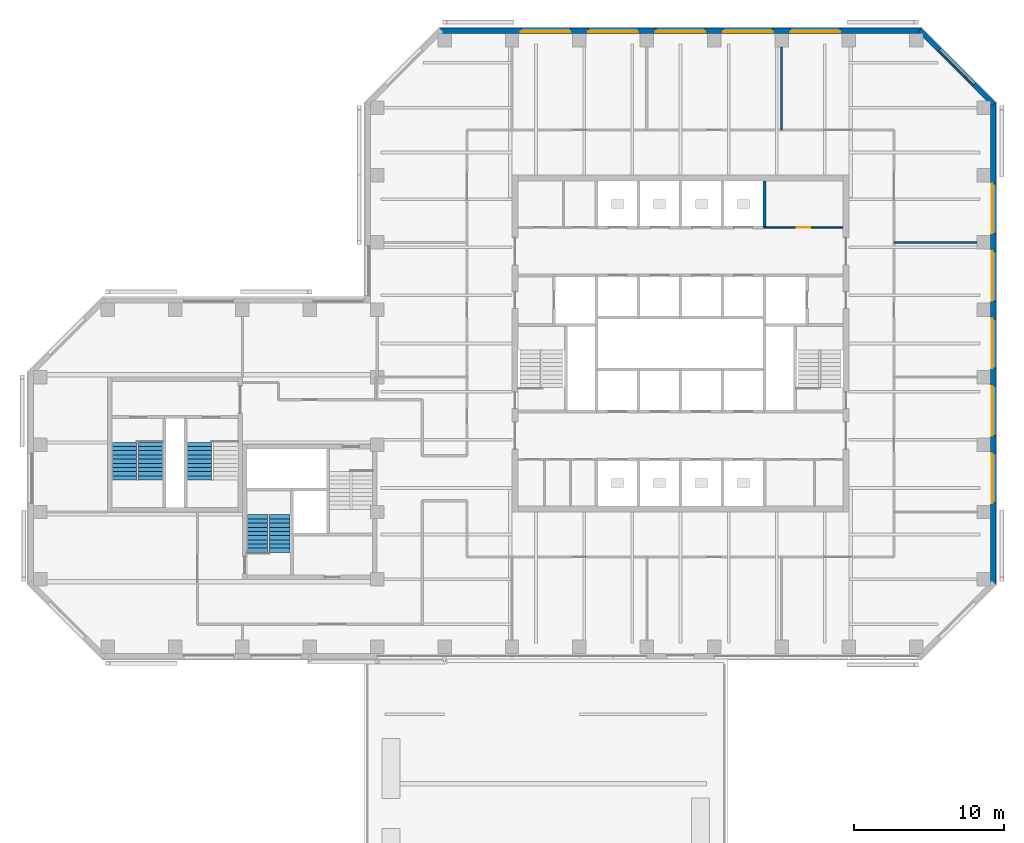
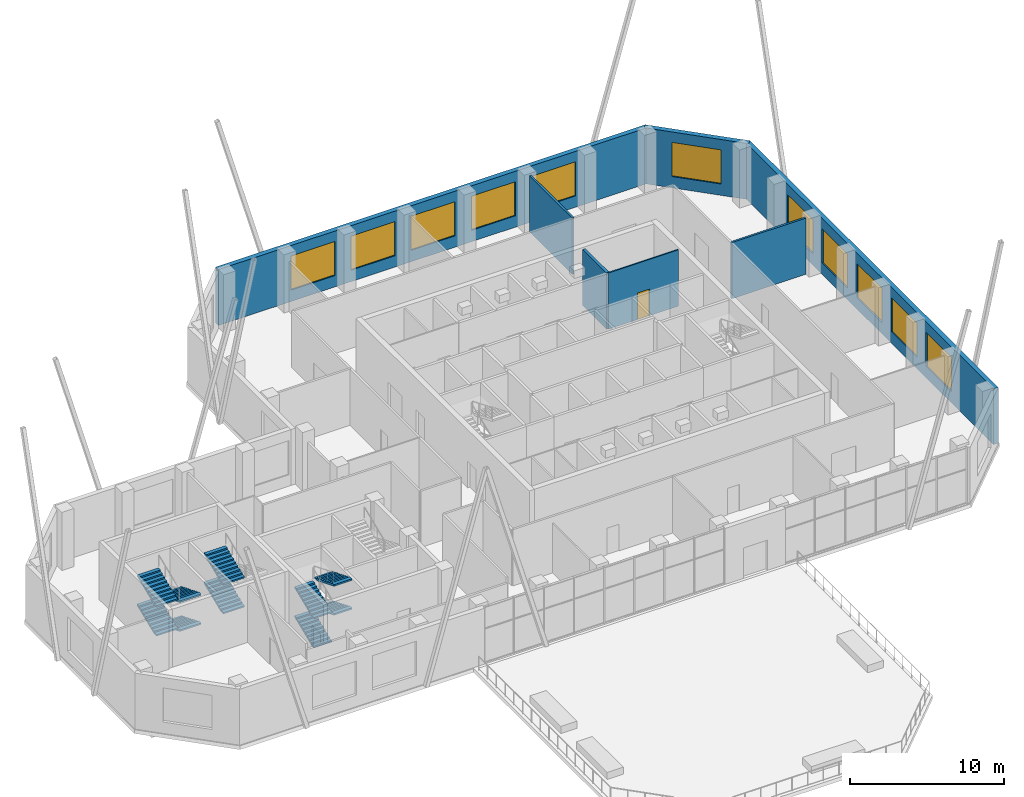
# One storey, part 11 of 14: 11 windows, 10 stair flights, 7 walls, 1 door, 12 openings, 3 elements without a shape of their own.
"""IFC4 building model written with IfcOpenShell, lengths in metres."""

from ifc_helpers import new_model, si_unit, direction, frame, frame_2d, origin, place, context, subcontext, project, spatial, polyline, rectangle, outline, extrude, material, layer, layer_set, constituent, constituent_set, type_object, element, fill, aggregate, save


model = new_model("IFC4")

# Units and contexts
model_context = context("Model", 3, precision=1e-05, world=origin(), true_north=direction((0.0, 1.0)))
body_context = subcontext(model_context, "Body", "Model", "MODEL_VIEW")
ifc_project = project(units=[si_unit("LENGTHUNIT", "METRE"), si_unit("AREAUNIT", "SQUARE_METRE"), si_unit("VOLUMEUNIT", "CUBIC_METRE"), si_unit("PLANEANGLEUNIT", "RADIAN"), si_unit("MASSUNIT", "GRAM", prefix="KILO")], contexts=[model_context])

# Site, building, storey
site_placement = place(None, origin())
site = spatial("IfcSite", under=ifc_project, at=site_placement, CompositionType="ELEMENT")
building_placement = place(site_placement, origin())
building = spatial("IfcBuilding", under=site, at=building_placement, Name="Quoin Convention Tower", CompositionType="ELEMENT")
storey_placement = place(building_placement, frame((0.0, 0.0, 143.10009765625)))
storey = spatial("IfcBuildingStorey", under=building, at=storey_placement, Name="L37", CompositionType="ELEMENT", Elevation=143.10009765625)

# Wall, openings, windows
ifc_material_1 = material(Name="Brick masonry", Category="masonry")
ifc_layer_1 = layer(ifc_material_1, 0.35009765625)
ifc_layer_set_1 = layer_set([ifc_layer_1], Name="Brick masonry")
wall_type_1 = type_object("IfcWallType", Name="Brick facade wall", PredefinedType="STANDARD", material=ifc_layer_set_1)
wall_1_placement = place(storey_placement, frame((77.125, 44.668701171875, 0.0), z_axis=(0.0, 0.0, 1.0), x_axis=(0.0, 1.0, 0.0)))
wall_1 = element("IfcWall", 1, at=wall_1_placement, inside=storey, type_object=wall_type_1, Name="fw-L37-76500_45000", PredefinedType="STANDARD", context=body_context, shape_type="SweptSolid", body=[
    extrude(rectangle(XDim=32.16259765625, YDim=0.35009765625, at=frame_2d((16.081298828125, 0.0))), origin(), (0.0, 0.0, 1.0), 4.4248046875),
])
opening_1_placement = place(wall_1_placement, frame((5.431396484375, 0.0, 0.89990234375)))
opening_1 = element("IfcOpeningElement", 2, at=opening_1_placement, cuts=wall_1, Name="Opening W-03", PredefinedType="OPENING", context=body_context, shape_type="SweptSolid", body=[
    extrude(rectangle(XDim=3.300048828125, YDim=2.699951171875, at=frame_2d((1.64990234375, 1.35009765625))), frame((0.0, 0.18505859375, 0.0), z_axis=(0.0, -1.0, 0.0), x_axis=(1.0, 0.0, 0.0)), (0.0, 0.0, 1.0), 0.3701171875),
])
opening_2_placement = place(wall_1_placement, frame((9.931396484375, 0.0, 0.89990234375)))
opening_2 = element("IfcOpeningElement", 3, at=opening_2_placement, cuts=wall_1, Name="Opening W-03", PredefinedType="OPENING", context=body_context, shape_type="SweptSolid", body=[
    extrude(rectangle(XDim=3.300048828125, YDim=2.699951171875, at=frame_2d((1.64990234375, 1.35009765625))), frame((0.0, 0.18505859375, 0.0), z_axis=(0.0, -1.0, 0.0), x_axis=(1.0, 0.0, 0.0)), (0.0, 0.0, 1.0), 0.3701171875),
])
opening_3_placement = place(wall_1_placement, frame((14.431396484375, 0.0, 0.89990234375)))
opening_3 = element("IfcOpeningElement", 4, at=opening_3_placement, cuts=wall_1, Name="Opening W-03", PredefinedType="OPENING", context=body_context, shape_type="SweptSolid", body=[
    extrude(rectangle(XDim=3.300048828125, YDim=2.699951171875, at=frame_2d((1.64990234375, 1.35009765625))), frame((0.0, 0.18505859375, 0.0), z_axis=(0.0, -1.0, 0.0), x_axis=(1.0, 0.0, 0.0)), (0.0, 0.0, 1.0), 0.3701171875),
])
opening_4_placement = place(wall_1_placement, frame((18.931396484375, 0.0, 0.89990234375)))
opening_4 = element("IfcOpeningElement", 5, at=opening_4_placement, cuts=wall_1, Name="Opening W-03", PredefinedType="OPENING", context=body_context, shape_type="SweptSolid", body=[
    extrude(rectangle(XDim=3.300048828125, YDim=2.699951171875, at=frame_2d((1.64990234375, 1.35009765625))), frame((0.0, 0.18505859375, 0.0), z_axis=(0.0, -1.0, 0.0), x_axis=(1.0, 0.0, 0.0)), (0.0, 0.0, 1.0), 0.3701171875),
])
opening_5_placement = place(wall_1_placement, frame((23.431396484375, 0.0, 0.89990234375)))
opening_5 = element("IfcOpeningElement", 6, at=opening_5_placement, cuts=wall_1, Name="Opening W-03", PredefinedType="OPENING", context=body_context, shape_type="SweptSolid", body=[
    extrude(rectangle(XDim=3.300048828125, YDim=2.699951171875, at=frame_2d((1.64990234375, 1.35009765625))), frame((0.0, 0.18505859375, 0.0), z_axis=(0.0, -1.0, 0.0), x_axis=(1.0, 0.0, 0.0)), (0.0, 0.0, 1.0), 0.3701171875),
])
ifc_material_2 = material(Name="Aluminium", Category="aluminium")
ifc_constituent_1 = constituent(ifc_material_2, Name="Frame")
ifc_material_3 = material(Name="Insulated glass", Category="glass")
ifc_constituent_2 = constituent(ifc_material_3, Name="Glazing")
ifc_constituent_set = constituent_set(constituents=[ifc_constituent_1, ifc_constituent_2], Name="Aluminium")
window_type = type_object("IfcWindowType", Name="Sky lobby window", PartitioningType="DOUBLE_PANEL_VERTICAL", PredefinedType="WINDOW", material=ifc_constituent_set)
window_1_placement = place(opening_1_placement, origin())
window_1 = element("IfcWindow", 7, at=window_1_placement, inside=storey, type_object=window_type, Name="win-L37-77125_51750", OverallHeight=2.699951171875, OverallWidth=3.300048828125, PartitioningType="SINGLE_PANEL", PredefinedType="WINDOW", context=body_context, shape_type="SweptSolid", body=[
    extrude(rectangle(XDim=3.300048828125, YDim=2.699951171875, at=frame_2d((1.64990234375, 1.35009765625))), frame((0.0, 0.0849609375, 0.0), z_axis=(0.0, -1.0, 0.0), x_axis=(1.0, 0.0, 0.0)), (0.0, 0.0, 1.0), 0.06005859375),
])
fill(opening_1, window_1)
window_2_placement = place(opening_2_placement, origin())
window_2 = element("IfcWindow", 8, at=window_2_placement, inside=storey, type_object=window_type, Name="win-L37-77125_56250", OverallHeight=2.699951171875, OverallWidth=3.300048828125, PartitioningType="SINGLE_PANEL", PredefinedType="WINDOW", context=body_context, shape_type="SweptSolid", body=[
    extrude(rectangle(XDim=3.300048828125, YDim=2.699951171875, at=frame_2d((1.64990234375, 1.35009765625))), frame((0.0, 0.0849609375, 0.0), z_axis=(0.0, -1.0, 0.0), x_axis=(1.0, 0.0, 0.0)), (0.0, 0.0, 1.0), 0.06005859375),
])
fill(opening_2, window_2)
window_3_placement = place(opening_3_placement, origin())
window_3 = element("IfcWindow", 9, at=window_3_placement, inside=storey, type_object=window_type, Name="win-L37-77125_60750", OverallHeight=2.699951171875, OverallWidth=3.300048828125, PartitioningType="SINGLE_PANEL", PredefinedType="WINDOW", context=body_context, shape_type="SweptSolid", body=[
    extrude(rectangle(XDim=3.300048828125, YDim=2.699951171875, at=frame_2d((1.64990234375, 1.35009765625))), frame((0.0, 0.0849609375, 0.0), z_axis=(0.0, -1.0, 0.0), x_axis=(1.0, 0.0, 0.0)), (0.0, 0.0, 1.0), 0.06005859375),
])
fill(opening_3, window_3)
window_4_placement = place(opening_4_placement, origin())
window_4 = element("IfcWindow", 10, at=window_4_placement, inside=storey, type_object=window_type, Name="win-L37-77125_65250", OverallHeight=2.699951171875, OverallWidth=3.300048828125, PartitioningType="SINGLE_PANEL", PredefinedType="WINDOW", context=body_context, shape_type="SweptSolid", body=[
    extrude(rectangle(XDim=3.300048828125, YDim=2.699951171875, at=frame_2d((1.64990234375, 1.35009765625))), frame((0.0, 0.0849609375, 0.0), z_axis=(0.0, -1.0, 0.0), x_axis=(1.0, 0.0, 0.0)), (0.0, 0.0, 1.0), 0.06005859375),
])
fill(opening_4, window_4)
window_5_placement = place(opening_5_placement, origin())
window_5 = element("IfcWindow", 11, at=window_5_placement, inside=storey, type_object=window_type, Name="win-L37-77125_69750", OverallHeight=2.699951171875, OverallWidth=3.300048828125, PartitioningType="SINGLE_PANEL", PredefinedType="WINDOW", context=body_context, shape_type="SweptSolid", body=[
    extrude(rectangle(XDim=3.300048828125, YDim=2.699951171875, at=frame_2d((1.64990234375, 1.35009765625))), frame((0.0, 0.0849609375, 0.0), z_axis=(0.0, -1.0, 0.0), x_axis=(1.0, 0.0, 0.0)), (0.0, 0.0, 1.0), 0.06005859375),
])
fill(opening_5, window_5)

# Wall, opening, window
wall_2_placement = place(storey_placement, frame((77.17626953125, 76.70751953125, 0.0), z_axis=(0.0, 0.0, 1.0), x_axis=(-0.707106781187, 0.707106781187, 0.0)))
wall_2 = element("IfcWall", 12, at=wall_2_placement, inside=storey, type_object=wall_type_1, Name="fw-L37-76500_76500", PredefinedType="STANDARD", context=body_context, shape_type="SweptSolid", body=[
    extrude(rectangle(XDim=7.02685546875, YDim=0.35009765625, at=frame_2d((3.513427734375, 0.0))), origin(), (0.0, 0.0, 1.0), 4.4248046875),
])
opening_6_placement = place(wall_2_placement, frame((1.86328125, 0.0, 0.89990234375)))
opening_6 = element("IfcOpeningElement", 13, at=opening_6_placement, cuts=wall_2, Name="Opening W-03", PredefinedType="OPENING", context=body_context, shape_type="SweptSolid", body=[
    extrude(rectangle(XDim=3.300048828125, YDim=2.699951171875, at=frame_2d((1.64990234375, 1.35009765625))), frame((0.0, 0.18505859375, 0.0), z_axis=(0.0, -1.0, 0.0), x_axis=(1.0, 0.0, 0.0)), (0.0, 0.0, 1.0), 0.3701171875),
])
window_6_placement = place(opening_6_placement, origin())
window_6 = element("IfcWindow", 14, at=window_6_placement, inside=storey, type_object=window_type, Name="win-L37-74692_79192", OverallHeight=2.699951171875, OverallWidth=3.300048828125, PartitioningType="SINGLE_PANEL", PredefinedType="WINDOW", context=body_context, shape_type="SweptSolid", body=[
    extrude(rectangle(XDim=3.300048828125, YDim=2.699951171875, at=frame_2d((1.64990234375, 1.35009765625))), frame((0.0, 0.0849609375, 0.0), z_axis=(0.0, -1.0, 0.0), x_axis=(1.0, 0.0, 0.0)), (0.0, 0.0, 1.0), 0.06005859375),
])
fill(opening_6, window_6)

# Wall, openings, windows
wall_3_placement = place(storey_placement, frame((72.331298828125, 81.625, 0.0), z_axis=(0.0, 0.0, 1.0), x_axis=(-1.0, 0.0, 0.0)))
wall_3 = element("IfcWall", 15, at=wall_3_placement, inside=storey, type_object=wall_type_1, Name="fw-L37-72000_81000", PredefinedType="STANDARD", context=body_context, shape_type="SweptSolid", body=[
    extrude(rectangle(XDim=32.16259765625, YDim=0.35009765625, at=frame_2d((16.081298828125, 0.0))), origin(), (0.0, 0.0, 1.0), 4.4248046875),
])
opening_7_placement = place(wall_3_placement, frame((5.431396484375, 0.0, 0.89990234375)))
opening_7 = element("IfcOpeningElement", 16, at=opening_7_placement, cuts=wall_3, Name="Opening W-03", PredefinedType="OPENING", context=body_context, shape_type="SweptSolid", body=[
    extrude(rectangle(XDim=3.300048828125, YDim=2.699951171875, at=frame_2d((1.64990234375, 1.35009765625))), frame((0.0, 0.18505859375, 0.0), z_axis=(0.0, -1.0, 0.0), x_axis=(1.0, 0.0, 0.0)), (0.0, 0.0, 1.0), 0.3701171875),
])
opening_8_placement = place(wall_3_placement, frame((9.931396484375, 0.0, 0.89990234375)))
opening_8 = element("IfcOpeningElement", 17, at=opening_8_placement, cuts=wall_3, Name="Opening W-03", PredefinedType="OPENING", context=body_context, shape_type="SweptSolid", body=[
    extrude(rectangle(XDim=3.300048828125, YDim=2.699951171875, at=frame_2d((1.64990234375, 1.35009765625))), frame((0.0, 0.18505859375, 0.0), z_axis=(0.0, -1.0, 0.0), x_axis=(1.0, 0.0, 0.0)), (0.0, 0.0, 1.0), 0.3701171875),
])
opening_9_placement = place(wall_3_placement, frame((14.431396484375, 0.0, 0.89990234375)))
opening_9 = element("IfcOpeningElement", 18, at=opening_9_placement, cuts=wall_3, Name="Opening W-03", PredefinedType="OPENING", context=body_context, shape_type="SweptSolid", body=[
    extrude(rectangle(XDim=3.300048828125, YDim=2.699951171875, at=frame_2d((1.64990234375, 1.35009765625))), frame((0.0, 0.18505859375, 0.0), z_axis=(0.0, -1.0, 0.0), x_axis=(1.0, 0.0, 0.0)), (0.0, 0.0, 1.0), 0.3701171875),
])
opening_10_placement = place(wall_3_placement, frame((18.931396484375, 0.0, 0.89990234375)))
opening_10 = element("IfcOpeningElement", 19, at=opening_10_placement, cuts=wall_3, Name="Opening W-03", PredefinedType="OPENING", context=body_context, shape_type="SweptSolid", body=[
    extrude(rectangle(XDim=3.300048828125, YDim=2.699951171875, at=frame_2d((1.64990234375, 1.35009765625))), frame((0.0, 0.18505859375, 0.0), z_axis=(0.0, -1.0, 0.0), x_axis=(1.0, 0.0, 0.0)), (0.0, 0.0, 1.0), 0.3701171875),
])
opening_11_placement = place(wall_3_placement, frame((23.431396484375, 0.0, 0.89990234375)))
opening_11 = element("IfcOpeningElement", 20, at=opening_11_placement, cuts=wall_3, Name="Opening W-03", PredefinedType="OPENING", context=body_context, shape_type="SweptSolid", body=[
    extrude(rectangle(XDim=3.300048828125, YDim=2.699951171875, at=frame_2d((1.64990234375, 1.35009765625))), frame((0.0, 0.18505859375, 0.0), z_axis=(0.0, -1.0, 0.0), x_axis=(1.0, 0.0, 0.0)), (0.0, 0.0, 1.0), 0.3701171875),
])
window_7_placement = place(opening_7_placement, origin())
window_7 = element("IfcWindow", 21, at=window_7_placement, inside=storey, type_object=window_type, Name="win-L37-65250_81625", OverallHeight=2.699951171875, OverallWidth=3.300048828125, PartitioningType="SINGLE_PANEL", PredefinedType="WINDOW", context=body_context, shape_type="SweptSolid", body=[
    extrude(rectangle(XDim=3.300048828125, YDim=2.699951171875, at=frame_2d((1.64990234375, 1.35009765625))), frame((0.0, 0.0849609375, 0.0), z_axis=(0.0, -1.0, 0.0), x_axis=(1.0, 0.0, 0.0)), (0.0, 0.0, 1.0), 0.06005859375),
])
fill(opening_7, window_7)
window_8_placement = place(opening_8_placement, origin())
window_8 = element("IfcWindow", 22, at=window_8_placement, inside=storey, type_object=window_type, Name="win-L37-60750_81625", OverallHeight=2.699951171875, OverallWidth=3.300048828125, PartitioningType="SINGLE_PANEL", PredefinedType="WINDOW", context=body_context, shape_type="SweptSolid", body=[
    extrude(rectangle(XDim=3.300048828125, YDim=2.699951171875, at=frame_2d((1.64990234375, 1.35009765625))), frame((0.0, 0.0849609375, 0.0), z_axis=(0.0, -1.0, 0.0), x_axis=(1.0, 0.0, 0.0)), (0.0, 0.0, 1.0), 0.06005859375),
])
fill(opening_8, window_8)
window_9_placement = place(opening_9_placement, origin())
window_9 = element("IfcWindow", 23, at=window_9_placement, inside=storey, type_object=window_type, Name="win-L37-56250_81625", OverallHeight=2.699951171875, OverallWidth=3.300048828125, PartitioningType="SINGLE_PANEL", PredefinedType="WINDOW", context=body_context, shape_type="SweptSolid", body=[
    extrude(rectangle(XDim=3.300048828125, YDim=2.699951171875, at=frame_2d((1.64990234375, 1.35009765625))), frame((0.0, 0.0849609375, 0.0), z_axis=(0.0, -1.0, 0.0), x_axis=(1.0, 0.0, 0.0)), (0.0, 0.0, 1.0), 0.06005859375),
])
fill(opening_9, window_9)
window_10_placement = place(opening_10_placement, origin())
window_10 = element("IfcWindow", 24, at=window_10_placement, inside=storey, type_object=window_type, Name="win-L37-51750_81625", OverallHeight=2.699951171875, OverallWidth=3.300048828125, PartitioningType="SINGLE_PANEL", PredefinedType="WINDOW", context=body_context, shape_type="SweptSolid", body=[
    extrude(rectangle(XDim=3.300048828125, YDim=2.699951171875, at=frame_2d((1.64990234375, 1.35009765625))), frame((0.0, 0.0849609375, 0.0), z_axis=(0.0, -1.0, 0.0), x_axis=(1.0, 0.0, 0.0)), (0.0, 0.0, 1.0), 0.06005859375),
])
fill(opening_10, window_10)
window_11_placement = place(opening_11_placement, origin())
window_11 = element("IfcWindow", 25, at=window_11_placement, inside=storey, type_object=window_type, Name="win-L37-47250_81625", OverallHeight=2.699951171875, OverallWidth=3.300048828125, PartitioningType="SINGLE_PANEL", PredefinedType="WINDOW", context=body_context, shape_type="SweptSolid", body=[
    extrude(rectangle(XDim=3.300048828125, YDim=2.699951171875, at=frame_2d((1.64990234375, 1.35009765625))), frame((0.0, 0.0849609375, 0.0), z_axis=(0.0, -1.0, 0.0), x_axis=(1.0, 0.0, 0.0)), (0.0, 0.0, 1.0), 0.06005859375),
])
fill(opening_11, window_11)

# Wall, opening, door
ifc_material_4 = material(Name="Plasterboard")
ifc_layer_2 = layer(ifc_material_4, 0.012451171875, Name="Finish")
ifc_material_5 = material(Name="Steel stud framing", Category="steel")
ifc_layer_3 = layer(ifc_material_5, 0.074951171875, Name="Structure")
ifc_layer_4 = layer(ifc_material_4, 0.012451171875, Name="Finish")
ifc_layer_set_2 = layer_set([ifc_layer_2, ifc_layer_3, ifc_layer_4], Name="Steel stud framing")
wall_type_2 = type_object("IfcWallType", Name="Core partition wall", PredefinedType="PARTITIONING", material=ifc_layer_set_2)
wall_4_placement = place(storey_placement, frame((61.85009765625, 68.5, 0.0), z_axis=(0.0, 0.0, 1.0), x_axis=(1.0, 0.0, 0.0)))
wall_4 = element("IfcWall", 26, at=wall_4_placement, inside=storey, type_object=wall_type_2, Name="cr-C1-L37-h19000_16850", PredefinedType="PARTITIONING", context=body_context, shape_type="SweptSolid", body=[
    extrude(rectangle(XDim=5.25, YDim=0.10009765625, at=frame_2d((2.625, 0.0))), origin(), (0.0, 0.0, 1.0), 4.449951171875),
])
opening_12_placement = place(wall_4_placement, frame((2.175048828125, 0.0, 0.0)))
opening_12 = element("IfcOpeningElement", 27, at=opening_12_placement, cuts=wall_4, Name="Opening DCV1-04", PredefinedType="OPENING", context=body_context, shape_type="SweptSolid", body=[
    extrude(rectangle(XDim=0.89990234375, YDim=2.10009765625, at=frame_2d((0.449951171875, 1.050048828125))), frame((0.0, 0.06005859375, 0.0), z_axis=(0.0, -1.0, 0.0), x_axis=(1.0, 0.0, 0.0)), (0.0, 0.0, 1.0), 0.1201171875),
])
ifc_material_6 = material(Name="Steel door leaf", Category="steel")
door_type = type_object("IfcDoorType", Name="Core room door 900 x 2100", OperationType="SINGLE_SWING_LEFT", PredefinedType="DOOR", material=ifc_material_6)
door_placement = place(opening_12_placement, origin())
door = element("IfcDoor", 28, at=door_placement, inside=storey, type_object=door_type, Name="cd-C1-L37-CNE0-lobB-CD3707", OperationType="SINGLE_SWING_LEFT", OverallHeight=2.10009765625, OverallWidth=0.89990234375, PredefinedType="DOOR", context=body_context, shape_type="SweptSolid", body=[
    extrude(rectangle(XDim=0.89990234375, YDim=2.10009765625, at=frame_2d((0.449951171875, 1.050048828125))), frame((0.0, 0.02490234375, 0.0), z_axis=(0.0, -1.0, 0.0), x_axis=(1.0, 0.0, 0.0)), (0.0, 0.0, 1.0), 0.050048828125),
])
fill(opening_12, door)

# Walls
ifc_material_7 = material(Name="Concrete C50", Category="concrete")
ifc_layer_5 = layer(ifc_material_7, 0.199951171875)
ifc_layer_set_3 = layer_set([ifc_layer_5], Name="Concrete C50")
wall_type_3 = type_object("IfcWallType", Name="Core shaft wall", PredefinedType="SOLIDWALL", material=ifc_layer_set_3)
wall_5_placement = place(storey_placement, frame((61.85009765625, 68.5, 0.0), z_axis=(0.0, 0.0, 1.0), x_axis=(0.0, 1.0, 0.0)))
element("IfcWall", 29, at=wall_5_placement, inside=storey, type_object=wall_type_3, Name="cr-C1-L37-v16850_19000", PredefinedType="SOLIDWALL", context=body_context, shape_type="SweptSolid", body=[
    extrude(rectangle(XDim=3.10009765625, YDim=0.199951171875, at=frame_2d((1.550048828125, 0.0))), origin(), (0.0, 0.0, 1.0), 4.449951171875),
])
ifc_layer_6 = layer(ifc_material_4, 0.012451171875, Name="Finish")
ifc_layer_7 = layer(ifc_material_5, 0.125, Name="Structure")
ifc_layer_8 = layer(ifc_material_4, 0.012451171875, Name="Finish")
ifc_layer_set_4 = layer_set([ifc_layer_6, ifc_layer_7, ifc_layer_8], Name="Steel stud framing")
wall_type_4 = type_object("IfcWallType", Name="room partition", PredefinedType="PARTITIONING", material=ifc_layer_set_4)
for number, where, z_axis, x_axis, name in (
    (30, (70.5, 67.5, 0.0), (0.0, 0.0, 1.0), (1.0, 0.0, 0.0), "pw-L37-025"),
    (31, (63.0, 75.0, 0.0), (0.0, 0.0, 1.0), (0.0, 1.0, 0.0), "pw-L37-028"),
):
    element("IfcWall", number, at=place(storey_placement, frame(where, z_axis=z_axis, x_axis=x_axis)), inside=storey, type_object=wall_type_4, Name=name, PredefinedType="PARTITIONING", context=body_context, shape_type="SweptSolid", body=[
        extrude(rectangle(XDim=5.550048828125, YDim=0.14990234375, at=frame_2d((2.77490234375, 0.0))), origin(), (0.0, 0.0, 1.0), 4.449951171875),
    ])

# Stair, stair flights
ifc_material_8 = material(Name="Concrete C40", Category="concrete")
stair_type_1 = type_object("IfcStairType", Name="Exit stair four-flight 1350", PredefinedType="DOUBLE_RETURN_STAIR", material=ifc_material_8)
stair_1_placement = place(storey_placement, origin())
stair_1 = element("IfcStair", 32, at=stair_1_placement, inside=storey, type_object=stair_type_1, Name="SD3 L37", PredefinedType="DOUBLE_RETURN_STAIR")
stair_flight_type_1 = type_object("IfcStairFlightType", Name="Stair flight 1350", PredefinedType="STRAIGHT", material=ifc_material_8)
stair_flight_1_placement = place(storey_placement, frame((28.0, 46.800048828125, 0.0), z_axis=(0.0, 0.0, 1.0), x_axis=(0.0, 1.0, 0.0)))
stair_flight_1 = element("IfcStairFlight", 33, at=stair_flight_1_placement, type_object=stair_flight_type_1, Name="ST3 flight 1", NumberOfRisers=10, NumberOfTreads=9, PredefinedType="STRAIGHT", RiserHeight=0.115, TreadLength=0.28, context=body_context, shape_type="SweptSolid", body=[
    extrude(outline(polyline([(0.0, 0.0), (0.0, 0.114990234375), (0.280029296875, 0.114990234375), (0.280029296875, 0.22998046875), (0.56005859375, 0.22998046875), (0.56005859375, 0.344970703125), (0.840087890625, 0.344970703125), (0.840087890625, 0.4599609375), (1.1201171875, 0.4599609375), (1.1201171875, 0.574951171875), (1.39990234375, 0.574951171875), (1.39990234375, 0.68994140625), (1.679931640625, 0.68994140625), (1.679931640625, 0.804931640625), (1.9599609375, 0.804931640625), (1.9599609375, 0.919921875), (2.239990234375, 0.919921875), (2.239990234375, 1.034912109375), (2.52001953125, 1.034912109375), (2.52001953125, 1.14990234375), (2.52001953125, 0.905029296875), (0.316162109375, 0.0), (0.0, 0.0)])), frame((0.0, 0.675048828125, 0.0), z_axis=(0.0, -1.0, 0.0), x_axis=(1.0, 0.0, 0.0)), (0.0, 0.0, 1.0), 1.35009765625),
])
stair_flight_2_placement = place(storey_placement, frame((29.5, 49.320068359375, 1.14990234375), z_axis=(0.0, 0.0, 1.0), x_axis=(0.0, -1.0, 0.0)))
stair_flight_2 = element("IfcStairFlight", 34, at=stair_flight_2_placement, type_object=stair_flight_type_1, Name="ST3 flight 2", NumberOfRisers=10, NumberOfTreads=9, PredefinedType="STRAIGHT", RiserHeight=0.115, TreadLength=0.28, context=body_context, shape_type="SweptSolid", body=[
    extrude(outline(polyline([(0.0, 0.0), (0.0, 0.114990234375), (0.280029296875, 0.114990234375), (0.280029296875, 0.22998046875), (0.56005859375, 0.22998046875), (0.56005859375, 0.344970703125), (0.840087890625, 0.344970703125), (0.840087890625, 0.4599609375), (1.1201171875, 0.4599609375), (1.1201171875, 0.574951171875), (1.39990234375, 0.574951171875), (1.39990234375, 0.68994140625), (1.679931640625, 0.68994140625), (1.679931640625, 0.804931640625), (1.9599609375, 0.804931640625), (1.9599609375, 0.919921875), (2.239990234375, 0.919921875), (2.239990234375, 1.034912109375), (2.52001953125, 1.034912109375), (2.52001953125, 1.14990234375), (2.52001953125, 0.905029296875), (0.316162109375, 0.0), (0.0, 0.0)])), frame((0.0, 0.675048828125, 0.0), z_axis=(0.0, -1.0, 0.0), x_axis=(1.0, 0.0, 0.0)), (0.0, 0.0, 1.0), 1.35009765625),
])
stair_flight_3_placement = place(storey_placement, frame((28.0, 46.800048828125, 2.2998046875), z_axis=(0.0, 0.0, 1.0), x_axis=(0.0, 1.0, 0.0)))
stair_flight_3 = element("IfcStairFlight", 35, at=stair_flight_3_placement, type_object=stair_flight_type_1, Name="ST3 flight 3", NumberOfRisers=10, NumberOfTreads=9, PredefinedType="STRAIGHT", RiserHeight=0.115, TreadLength=0.28, context=body_context, shape_type="SweptSolid", body=[
    extrude(outline(polyline([(0.0, 0.0), (0.0, 0.114990234375), (0.280029296875, 0.114990234375), (0.280029296875, 0.22998046875), (0.56005859375, 0.22998046875), (0.56005859375, 0.344970703125), (0.840087890625, 0.344970703125), (0.840087890625, 0.4599609375), (1.1201171875, 0.4599609375), (1.1201171875, 0.574951171875), (1.39990234375, 0.574951171875), (1.39990234375, 0.68994140625), (1.679931640625, 0.68994140625), (1.679931640625, 0.804931640625), (1.9599609375, 0.804931640625), (1.9599609375, 0.919921875), (2.239990234375, 0.919921875), (2.239990234375, 1.034912109375), (2.52001953125, 1.034912109375), (2.52001953125, 1.14990234375), (2.52001953125, 0.905029296875), (0.316162109375, 0.0), (0.0, 0.0)])), frame((0.0, 0.675048828125, 0.0), z_axis=(0.0, -1.0, 0.0), x_axis=(1.0, 0.0, 0.0)), (0.0, 0.0, 1.0), 1.35009765625),
])
stair_flight_4_placement = place(storey_placement, frame((29.5, 49.320068359375, 3.449951171875), z_axis=(0.0, 0.0, 1.0), x_axis=(0.0, -1.0, 0.0)))
stair_flight_4 = element("IfcStairFlight", 36, at=stair_flight_4_placement, type_object=stair_flight_type_1, Name="ST3 flight 4", NumberOfRisers=10, NumberOfTreads=9, PredefinedType="STRAIGHT", RiserHeight=0.115, TreadLength=0.28, context=body_context, shape_type="SweptSolid", body=[
    extrude(outline(polyline([(0.0, 0.0), (0.0, 0.114990234375), (0.280029296875, 0.114990234375), (0.280029296875, 0.22998046875), (0.56005859375, 0.22998046875), (0.56005859375, 0.344970703125), (0.840087890625, 0.344970703125), (0.840087890625, 0.4599609375), (1.1201171875, 0.4599609375), (1.1201171875, 0.574951171875), (1.39990234375, 0.574951171875), (1.39990234375, 0.68994140625), (1.679931640625, 0.68994140625), (1.679931640625, 0.804931640625), (1.9599609375, 0.804931640625), (1.9599609375, 0.919921875), (2.239990234375, 0.919921875), (2.239990234375, 1.034912109375), (2.52001953125, 1.034912109375), (2.52001953125, 1.14990234375), (2.52001953125, 0.905029296875), (0.316162109375, 0.0), (0.0, 0.0)])), frame((0.0, 0.675048828125, 0.0), z_axis=(0.0, -1.0, 0.0), x_axis=(1.0, 0.0, 0.0)), (0.0, 0.0, 1.0), 1.35009765625),
])
aggregate(stair_1, [stair_flight_1, stair_flight_2, stair_flight_3, stair_flight_4])

stair_type_2 = type_object("IfcStairType", Name="Exit stair four-flight 1600", PredefinedType="DOUBLE_RETURN_STAIR", material=ifc_material_8)
stair_2_placement = place(storey_placement, origin())
stair_2 = element("IfcStair", 37, at=stair_2_placement, inside=storey, type_object=stair_type_2, Name="SD11 L37", PredefinedType="DOUBLE_RETURN_STAIR")
stair_flight_type_2 = type_object("IfcStairFlightType", Name="Stair flight 1600", PredefinedType="STRAIGHT", material=ifc_material_8)
stair_flight_5_placement = place(storey_placement, frame((20.875, 54.14990234375, 0.0), z_axis=(0.0, 0.0, 1.0), x_axis=(0.0, -1.0, 0.0)))
stair_flight_5 = element("IfcStairFlight", 38, at=stair_flight_5_placement, type_object=stair_flight_type_2, Name="ST11 flight 1", NumberOfRisers=10, NumberOfTreads=9, PredefinedType="STRAIGHT", RiserHeight=0.115, TreadLength=0.28, context=body_context, shape_type="SweptSolid", body=[
    extrude(outline(polyline([(0.0, 0.0), (0.0, 0.114990234375), (0.280029296875, 0.114990234375), (0.280029296875, 0.22998046875), (0.56005859375, 0.22998046875), (0.56005859375, 0.344970703125), (0.840087890625, 0.344970703125), (0.840087890625, 0.4599609375), (1.1201171875, 0.4599609375), (1.1201171875, 0.574951171875), (1.39990234375, 0.574951171875), (1.39990234375, 0.68994140625), (1.679931640625, 0.68994140625), (1.679931640625, 0.804931640625), (1.9599609375, 0.804931640625), (1.9599609375, 0.919921875), (2.239990234375, 0.919921875), (2.239990234375, 1.034912109375), (2.52001953125, 1.034912109375), (2.52001953125, 1.14990234375), (2.52001953125, 0.905029296875), (0.316162109375, 0.0), (0.0, 0.0)])), frame((0.0, 0.800048828125, 0.0), z_axis=(0.0, -1.0, 0.0), x_axis=(1.0, 0.0, 0.0)), (0.0, 0.0, 1.0), 1.60009765625),
])
stair_flight_6_placement = place(storey_placement, frame((19.125, 51.6298828125, 1.14990234375), z_axis=(0.0, 0.0, 1.0), x_axis=(0.0, 1.0, 0.0)))
stair_flight_6 = element("IfcStairFlight", 39, at=stair_flight_6_placement, type_object=stair_flight_type_2, Name="ST11 flight 2", NumberOfRisers=10, NumberOfTreads=9, PredefinedType="STRAIGHT", RiserHeight=0.115, TreadLength=0.28, context=body_context, shape_type="SweptSolid", body=[
    extrude(outline(polyline([(0.0, 0.0), (0.0, 0.114990234375), (0.280029296875, 0.114990234375), (0.280029296875, 0.22998046875), (0.56005859375, 0.22998046875), (0.56005859375, 0.344970703125), (0.840087890625, 0.344970703125), (0.840087890625, 0.4599609375), (1.1201171875, 0.4599609375), (1.1201171875, 0.574951171875), (1.39990234375, 0.574951171875), (1.39990234375, 0.68994140625), (1.679931640625, 0.68994140625), (1.679931640625, 0.804931640625), (1.9599609375, 0.804931640625), (1.9599609375, 0.919921875), (2.239990234375, 0.919921875), (2.239990234375, 1.034912109375), (2.52001953125, 1.034912109375), (2.52001953125, 1.14990234375), (2.52001953125, 0.905029296875), (0.316162109375, 0.0), (0.0, 0.0)])), frame((0.0, 0.800048828125, 0.0), z_axis=(0.0, -1.0, 0.0), x_axis=(1.0, 0.0, 0.0)), (0.0, 0.0, 1.0), 1.60009765625),
])
stair_flight_7_placement = place(storey_placement, frame((20.875, 54.14990234375, 2.2998046875), z_axis=(0.0, 0.0, 1.0), x_axis=(0.0, -1.0, 0.0)))
stair_flight_7 = element("IfcStairFlight", 40, at=stair_flight_7_placement, type_object=stair_flight_type_2, Name="ST11 flight 3", NumberOfRisers=10, NumberOfTreads=9, PredefinedType="STRAIGHT", RiserHeight=0.115, TreadLength=0.28, context=body_context, shape_type="SweptSolid", body=[
    extrude(outline(polyline([(0.0, 0.0), (0.0, 0.114990234375), (0.280029296875, 0.114990234375), (0.280029296875, 0.22998046875), (0.56005859375, 0.22998046875), (0.56005859375, 0.344970703125), (0.840087890625, 0.344970703125), (0.840087890625, 0.4599609375), (1.1201171875, 0.4599609375), (1.1201171875, 0.574951171875), (1.39990234375, 0.574951171875), (1.39990234375, 0.68994140625), (1.679931640625, 0.68994140625), (1.679931640625, 0.804931640625), (1.9599609375, 0.804931640625), (1.9599609375, 0.919921875), (2.239990234375, 0.919921875), (2.239990234375, 1.034912109375), (2.52001953125, 1.034912109375), (2.52001953125, 1.14990234375), (2.52001953125, 0.905029296875), (0.316162109375, 0.0), (0.0, 0.0)])), frame((0.0, 0.800048828125, 0.0), z_axis=(0.0, -1.0, 0.0), x_axis=(1.0, 0.0, 0.0)), (0.0, 0.0, 1.0), 1.60009765625),
])
stair_flight_8_placement = place(storey_placement, frame((19.125, 51.6298828125, 3.449951171875), z_axis=(0.0, 0.0, 1.0), x_axis=(0.0, 1.0, 0.0)))
stair_flight_8 = element("IfcStairFlight", 41, at=stair_flight_8_placement, type_object=stair_flight_type_2, Name="ST11 flight 4", NumberOfRisers=10, NumberOfTreads=9, PredefinedType="STRAIGHT", RiserHeight=0.115, TreadLength=0.28, context=body_context, shape_type="SweptSolid", body=[
    extrude(outline(polyline([(0.0, 0.0), (0.0, 0.114990234375), (0.280029296875, 0.114990234375), (0.280029296875, 0.22998046875), (0.56005859375, 0.22998046875), (0.56005859375, 0.344970703125), (0.840087890625, 0.344970703125), (0.840087890625, 0.4599609375), (1.1201171875, 0.4599609375), (1.1201171875, 0.574951171875), (1.39990234375, 0.574951171875), (1.39990234375, 0.68994140625), (1.679931640625, 0.68994140625), (1.679931640625, 0.804931640625), (1.9599609375, 0.804931640625), (1.9599609375, 0.919921875), (2.239990234375, 0.919921875), (2.239990234375, 1.034912109375), (2.52001953125, 1.034912109375), (2.52001953125, 1.14990234375), (2.52001953125, 0.905029296875), (0.316162109375, 0.0), (0.0, 0.0)])), frame((0.0, 0.800048828125, 0.0), z_axis=(0.0, -1.0, 0.0), x_axis=(1.0, 0.0, 0.0)), (0.0, 0.0, 1.0), 1.60009765625),
])
aggregate(stair_2, [stair_flight_5, stair_flight_6, stair_flight_7, stair_flight_8])

stair_3_placement = place(storey_placement, origin())
stair_3 = element("IfcStair", 42, at=stair_3_placement, inside=storey, type_object=stair_type_2, Name="SD12 L37", PredefinedType="DOUBLE_RETURN_STAIR")
stair_flight_9_placement = place(storey_placement, frame((24.125, 51.6298828125, 1.14990234375), z_axis=(0.0, 0.0, 1.0), x_axis=(0.0, 1.0, 0.0)))
stair_flight_9 = element("IfcStairFlight", 43, at=stair_flight_9_placement, type_object=stair_flight_type_2, Name="ST12 flight 2", NumberOfRisers=10, NumberOfTreads=9, PredefinedType="STRAIGHT", RiserHeight=0.115, TreadLength=0.28, context=body_context, shape_type="SweptSolid", body=[
    extrude(outline(polyline([(0.0, 0.0), (0.0, 0.114990234375), (0.280029296875, 0.114990234375), (0.280029296875, 0.22998046875), (0.56005859375, 0.22998046875), (0.56005859375, 0.344970703125), (0.840087890625, 0.344970703125), (0.840087890625, 0.4599609375), (1.1201171875, 0.4599609375), (1.1201171875, 0.574951171875), (1.39990234375, 0.574951171875), (1.39990234375, 0.68994140625), (1.679931640625, 0.68994140625), (1.679931640625, 0.804931640625), (1.9599609375, 0.804931640625), (1.9599609375, 0.919921875), (2.239990234375, 0.919921875), (2.239990234375, 1.034912109375), (2.52001953125, 1.034912109375), (2.52001953125, 1.14990234375), (2.52001953125, 0.905029296875), (0.316162109375, 0.0), (0.0, 0.0)])), frame((0.0, 0.800048828125, 0.0), z_axis=(0.0, -1.0, 0.0), x_axis=(1.0, 0.0, 0.0)), (0.0, 0.0, 1.0), 1.60009765625),
])
stair_flight_10_placement = place(storey_placement, frame((24.125, 51.6298828125, 3.449951171875), z_axis=(0.0, 0.0, 1.0), x_axis=(0.0, 1.0, 0.0)))
stair_flight_10 = element("IfcStairFlight", 44, at=stair_flight_10_placement, type_object=stair_flight_type_2, Name="ST12 flight 4", NumberOfRisers=10, NumberOfTreads=9, PredefinedType="STRAIGHT", RiserHeight=0.115, TreadLength=0.28, context=body_context, shape_type="SweptSolid", body=[
    extrude(outline(polyline([(0.0, 0.0), (0.0, 0.114990234375), (0.280029296875, 0.114990234375), (0.280029296875, 0.22998046875), (0.56005859375, 0.22998046875), (0.56005859375, 0.344970703125), (0.840087890625, 0.344970703125), (0.840087890625, 0.4599609375), (1.1201171875, 0.4599609375), (1.1201171875, 0.574951171875), (1.39990234375, 0.574951171875), (1.39990234375, 0.68994140625), (1.679931640625, 0.68994140625), (1.679931640625, 0.804931640625), (1.9599609375, 0.804931640625), (1.9599609375, 0.919921875), (2.239990234375, 0.919921875), (2.239990234375, 1.034912109375), (2.52001953125, 1.034912109375), (2.52001953125, 1.14990234375), (2.52001953125, 0.905029296875), (0.316162109375, 0.0), (0.0, 0.0)])), frame((0.0, 0.800048828125, 0.0), z_axis=(0.0, -1.0, 0.0), x_axis=(1.0, 0.0, 0.0)), (0.0, 0.0, 1.0), 1.60009765625),
])
aggregate(stair_3, [stair_flight_9, stair_flight_10])

save(model, "model.ifc")
